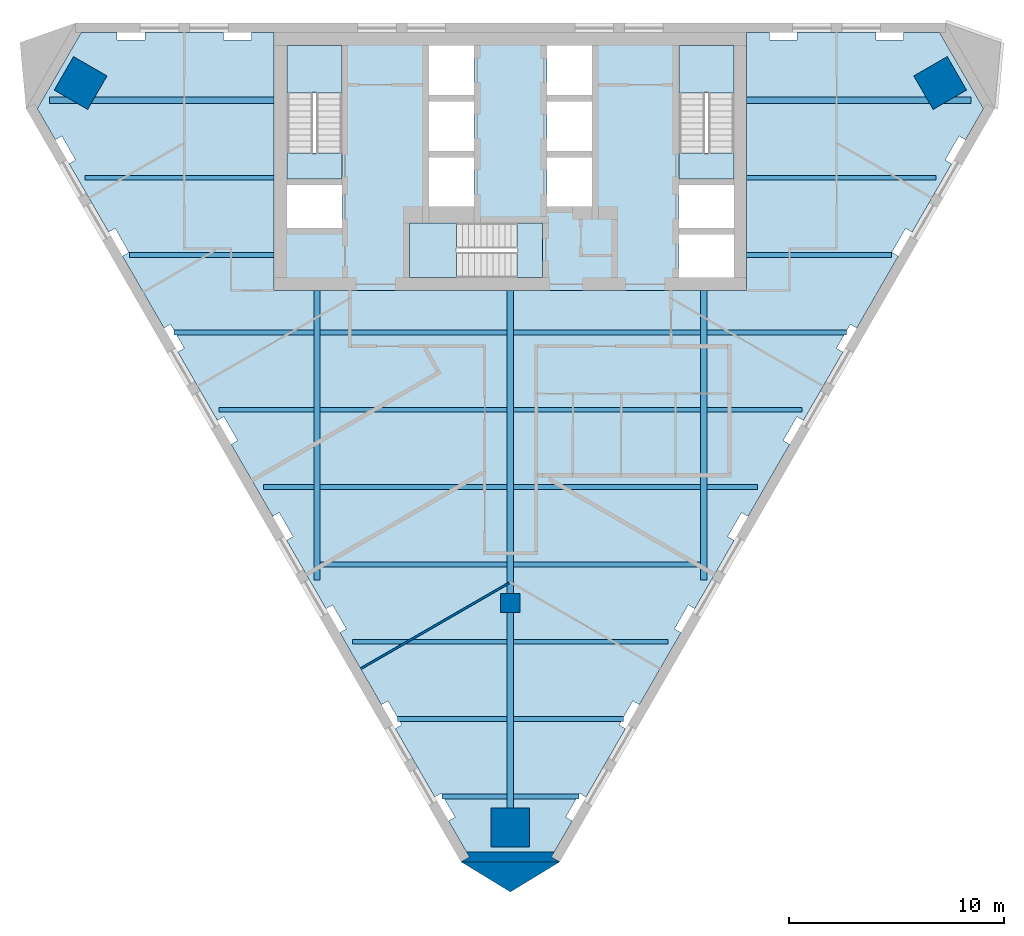
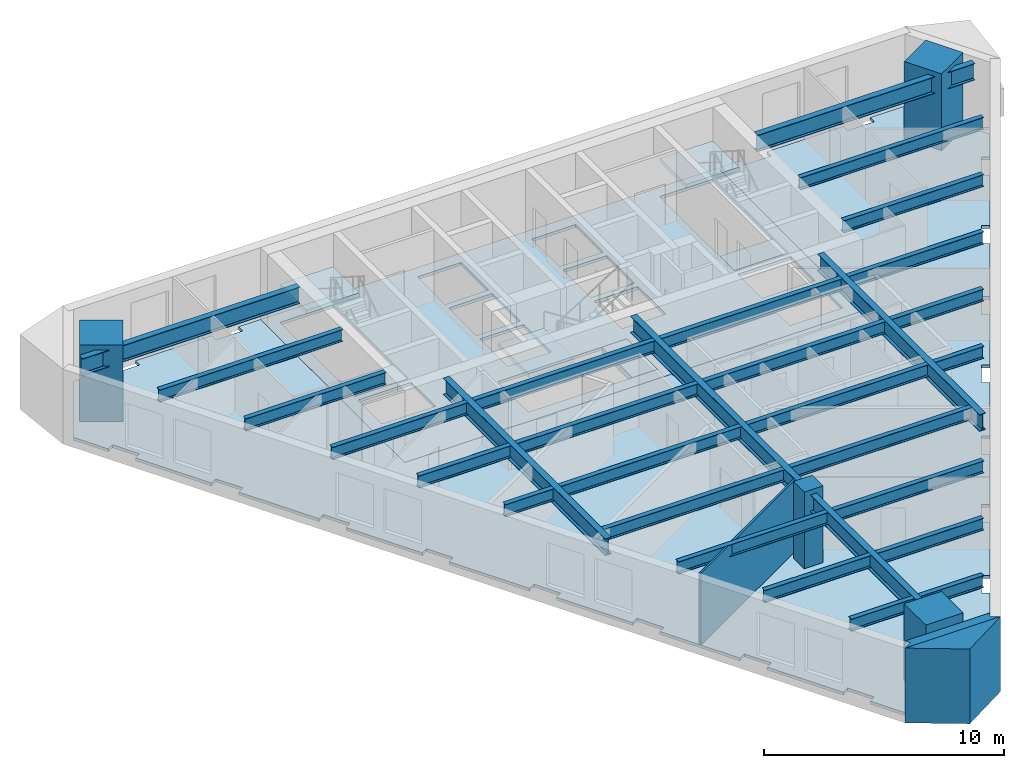
# One storey, part 1 of 7: 30 beams, 8 slabs, 4 columns, 3 walls, 3 elements without a shape of their own.
"""IFC4 building model written with IfcOpenShell, lengths in metres."""

from ifc_helpers import new_model, si_unit, direction, frame, frame_2d, origin, origin_2d, place, context, subcontext, project, spatial, polyline, rectangle, i_section, outline, extrude, material, layer, layer_set, material_profile, profile_set, type_object, element, aggregate, save


model = new_model("IFC4")

# Units and contexts
model_context = context("Model", 3, precision=1e-05, world=origin(), true_north=direction((0.0, 1.0)))
body_context = subcontext(model_context, "Body", "Model", "MODEL_VIEW")
ifc_project = project(units=[si_unit("LENGTHUNIT", "METRE"), si_unit("AREAUNIT", "SQUARE_METRE"), si_unit("VOLUMEUNIT", "CUBIC_METRE"), si_unit("PLANEANGLEUNIT", "RADIAN"), si_unit("MASSUNIT", "GRAM", prefix="KILO")], contexts=[model_context])

# Site, building, storey
site_placement = place(None, origin())
site = spatial("IfcSite", under=ifc_project, at=site_placement, CompositionType="ELEMENT")
building_placement = place(site_placement, origin())
building = spatial("IfcBuilding", under=site, at=building_placement, Name="Aloe Facet Convention Tower", CompositionType="ELEMENT")
storey_placement = place(building_placement, frame((0.0, 0.0, 171.5)))
storey = spatial("IfcBuildingStorey", under=building, at=storey_placement, Name="L43", CompositionType="ELEMENT", Elevation=171.5)

# Columns
ifc_material_1 = material(Name="Concrete C70/85", Category="concrete")
ifc_material_profile_1 = material_profile(ifc_material_1, rectangle(XDim=0.89990234375, YDim=0.89990234375, at=origin_2d()), Name="SF-GC-Z3")
ifc_profile_set_1 = profile_set([ifc_material_profile_1], Name="Concrete C70/85")
column_type_1 = type_object("IfcColumnType", Name="SF-GC-Z3", PredefinedType="COLUMN", material=ifc_profile_set_1)
column_placement = place(storey_placement, frame((80.0, 108.0, 0.0), z_axis=(0.0, 0.0, 1.0), x_axis=(1.0, 0.0, 0.0)))
element("IfcColumn", 1, at=column_placement, inside=storey, type_object=column_type_1, Name="Gravity column GC-Z3-9D", PredefinedType="COLUMN", context=body_context, shape_type="SweptSolid", body=[
    extrude(rectangle(XDim=0.89990234375, YDim=0.89990234375, at=origin_2d()), origin(), (0.0, 0.0, 1.0), 3.89990234375),
])
ifc_material_2 = material(Name="Concrete C80/95", Category="concrete")
ifc_material_profile_2 = material_profile(ifc_material_2, rectangle(XDim=1.800048828125, YDim=1.800048828125, at=origin_2d()), Name="STW-MC-Z3")
ifc_profile_set_2 = profile_set([ifc_material_profile_2], Name="Concrete C80/95")
column_type_2 = type_object("IfcColumnType", Name="STW-MC-Z3", PredefinedType="COLUMN", material=ifc_profile_set_2)
for number, where, z_axis, x_axis, name in (
    (2, (100.00732421875, 132.208251953125, 0.0), (0.0, 0.0, 1.0), (-0.5, 0.866025403784, 0.0), "Mega-column MC-NE-L43"),
    (3, (59.99267578125, 132.208251953125, 0.0), (0.0, 0.0, 1.0), (-0.5, -0.866025403784, 0.0), "Mega-column MC-NW-L43"),
    (4, (80.0, 97.55419921875, 0.0), (0.0, 0.0, 1.0), (1.0, 0.0, 0.0), "Mega-column MC-S-L43"),
):
    element("IfcColumn", number, at=place(storey_placement, frame(where, z_axis=z_axis, x_axis=x_axis)), inside=storey, type_object=column_type_2, Name=name, PredefinedType="COLUMN", context=body_context, shape_type="SweptSolid", body=[
        extrude(rectangle(XDim=1.800048828125, YDim=1.800048828125, at=origin_2d()), origin(), (0.0, 0.0, 1.0), 3.89990234375),
    ])

# Beams
ifc_material_3 = material(Name="Steel S355", Category="steel")
ifc_material_profile_3 = material_profile(ifc_material_3, i_section(OverallWidth=0.22900390625, OverallDepth=0.6123046875, WebThickness=0.011962890625, FlangeThickness=0.01953125, FilletRadius=0.0126953125, at=origin_2d()), Name="UB 610x229x125")
ifc_profile_set_3 = profile_set([ifc_material_profile_3], Name="Steel S355")
beam_type_1 = type_object("IfcBeamType", Name="SF-B-UB610x229x125", PredefinedType="BEAM", material=ifc_profile_set_3)
beam_1_placement = place(storey_placement, frame((60.18994140625, 127.800048828125, 3.343994140625), z_axis=(1.0, 0.0, 0.0), x_axis=(0.0, 1.0, 0.0)))
element("IfcBeam", 5, at=beam_1_placement, inside=storey, type_object=beam_type_1, Name="Floor beam FB-Z3J-007", PredefinedType="BEAM", context=body_context, shape_type="SweptSolid", body=[
    extrude(i_section(OverallWidth=0.22900390625, OverallDepth=0.6123046875, WebThickness=0.011962890625, FlangeThickness=0.01953125, FilletRadius=0.0126953125, at=origin_2d()), origin(), (0.0, 0.0, 1.0), 8.81005859375),
])
beam_2_placement = place(storey_placement, frame((62.268310546875, 124.199951171875, 3.343994140625), z_axis=(1.0, 0.0, 0.0), x_axis=(0.0, 1.0, 0.0)))
element("IfcBeam", 6, at=beam_2_placement, inside=storey, type_object=beam_type_1, Name="Floor beam FB-Z3J-008", PredefinedType="BEAM", context=body_context, shape_type="SweptSolid", body=[
    extrude(i_section(OverallWidth=0.22900390625, OverallDepth=0.6123046875, WebThickness=0.011962890625, FlangeThickness=0.01953125, FilletRadius=0.0126953125, at=origin_2d()), origin(), (0.0, 0.0, 1.0), 6.731689453125),
])
beam_3_placement = place(storey_placement, frame((64.3466796875, 120.60009765625, 3.343994140625), z_axis=(1.0, 0.0, 0.0), x_axis=(0.0, 1.0, 0.0)))
element("IfcBeam", 7, at=beam_3_placement, inside=storey, type_object=beam_type_1, Name="Floor beam FB-Z3J-009", PredefinedType="BEAM", context=body_context, shape_type="SweptSolid", body=[
    extrude(i_section(OverallWidth=0.22900390625, OverallDepth=0.6123046875, WebThickness=0.011962890625, FlangeThickness=0.01953125, FilletRadius=0.0126953125, at=origin_2d()), origin(), (0.0, 0.0, 1.0), 6.50634765625),
])
beam_4_placement = place(storey_placement, frame((66.42529296875, 117.0, 3.343994140625), z_axis=(1.0, 0.0, 0.0), x_axis=(0.0, 1.0, 0.0)))
element("IfcBeam", 8, at=beam_4_placement, inside=storey, type_object=beam_type_1, Name="Floor beam FB-Z3J-010", PredefinedType="BEAM", context=body_context, shape_type="SweptSolid", body=[
    extrude(i_section(OverallWidth=0.22900390625, OverallDepth=0.6123046875, WebThickness=0.011962890625, FlangeThickness=0.01953125, FilletRadius=0.0126953125, at=origin_2d()), origin(), (0.0, 0.0, 1.0), 4.427734375),
])
beam_5_placement = place(storey_placement, frame((68.503662109375, 113.39990234375, 3.343994140625), z_axis=(1.0, 0.0, 0.0), x_axis=(0.0, 1.0, 0.0)))
element("IfcBeam", 9, at=beam_5_placement, inside=storey, type_object=beam_type_1, Name="Floor beam FB-Z3J-011", PredefinedType="BEAM", context=body_context, shape_type="SweptSolid", body=[
    extrude(i_section(OverallWidth=0.22900390625, OverallDepth=0.6123046875, WebThickness=0.011962890625, FlangeThickness=0.01953125, FilletRadius=0.0126953125, at=origin_2d()), origin(), (0.0, 0.0, 1.0), 2.349365234375),
])
for number, where, z_axis, x_axis, name in (
    (10, (71.14697265625, 109.800048828125, 3.343994140625), (1.0, 0.0, 0.0), (0.0, 1.0, 0.0), "Floor beam FB-Z3J-012"),
    (11, (71.14697265625, 113.39990234375, 3.343994140625), (1.0, 0.0, 0.0), (0.0, 1.0, 0.0), "Floor beam FB-Z3J-013"),
    (12, (71.14697265625, 117.0, 3.343994140625), (1.0, 0.0, 0.0), (0.0, 1.0, 0.0), "Floor beam FB-Z3J-014"),
    (13, (71.14697265625, 120.60009765625, 3.343994140625), (1.0, 0.0, 0.0), (0.0, 1.0, 0.0), "Floor beam FB-Z3J-015"),
):
    element("IfcBeam", number, at=place(storey_placement, frame(where, z_axis=z_axis, x_axis=x_axis)), inside=storey, type_object=beam_type_1, Name=name, PredefinedType="BEAM", context=body_context, shape_type="SweptSolid", body=[
        extrude(i_section(OverallWidth=0.22900390625, OverallDepth=0.6123046875, WebThickness=0.011962890625, FlangeThickness=0.01953125, FilletRadius=0.0126953125, at=origin_2d()), origin(), (0.0, 0.0, 1.0), 8.7060546875),
    ])
beam_6_placement = place(storey_placement, frame((72.66064453125, 106.199951171875, 3.343994140625), z_axis=(1.0, 0.0, 0.0), x_axis=(0.0, 1.0, 0.0)))
element("IfcBeam", 14, at=beam_6_placement, inside=storey, type_object=beam_type_1, Name="Floor beam FB-Z3J-016", PredefinedType="BEAM", context=body_context, shape_type="SweptSolid", body=[
    extrude(i_section(OverallWidth=0.22900390625, OverallDepth=0.6123046875, WebThickness=0.011962890625, FlangeThickness=0.01953125, FilletRadius=0.0126953125, at=origin_2d()), origin(), (0.0, 0.0, 1.0), 7.1923828125),
])
beam_7_placement = place(storey_placement, frame((74.739013671875, 102.60009765625, 3.343994140625), z_axis=(1.0, 0.0, 0.0), x_axis=(0.0, 1.0, 0.0)))
element("IfcBeam", 15, at=beam_7_placement, inside=storey, type_object=beam_type_1, Name="Floor beam FB-Z3J-017", PredefinedType="BEAM", context=body_context, shape_type="SweptSolid", body=[
    extrude(i_section(OverallWidth=0.22900390625, OverallDepth=0.6123046875, WebThickness=0.011962890625, FlangeThickness=0.01953125, FilletRadius=0.0126953125, at=origin_2d()), origin(), (0.0, 0.0, 1.0), 5.114013671875),
])
for number, where, z_axis, x_axis, name in (
    (16, (76.817626953125, 99.0, 3.343994140625), (1.0, 0.0, 0.0), (0.0, 1.0, 0.0), "Floor beam FB-Z3J-018"),
    (17, (80.14697265625, 99.0, 3.343994140625), (1.0, 0.0, 0.0), (0.0, 1.0, 0.0), "Floor beam FB-Z3J-019"),
):
    element("IfcBeam", number, at=place(storey_placement, frame(where, z_axis=z_axis, x_axis=x_axis)), inside=storey, type_object=beam_type_1, Name=name, PredefinedType="BEAM", context=body_context, shape_type="SweptSolid", body=[
        extrude(i_section(OverallWidth=0.22900390625, OverallDepth=0.6123046875, WebThickness=0.011962890625, FlangeThickness=0.01953125, FilletRadius=0.0126953125, at=origin_2d()), origin(), (0.0, 0.0, 1.0), 3.035400390625),
    ])
beam_8_placement = place(storey_placement, frame((80.14697265625, 102.60009765625, 3.343994140625), z_axis=(1.0, 0.0, 0.0), x_axis=(0.0, 1.0, 0.0)))
element("IfcBeam", 18, at=beam_8_placement, inside=storey, type_object=beam_type_1, Name="Floor beam FB-Z3J-020", PredefinedType="BEAM", context=body_context, shape_type="SweptSolid", body=[
    extrude(i_section(OverallWidth=0.22900390625, OverallDepth=0.6123046875, WebThickness=0.011962890625, FlangeThickness=0.01953125, FilletRadius=0.0126953125, at=origin_2d()), origin(), (0.0, 0.0, 1.0), 5.114013671875),
])
beam_9_placement = place(storey_placement, frame((80.14697265625, 106.199951171875, 3.343994140625), z_axis=(1.0, 0.0, 0.0), x_axis=(0.0, 1.0, 0.0)))
element("IfcBeam", 19, at=beam_9_placement, inside=storey, type_object=beam_type_1, Name="Floor beam FB-Z3J-021", PredefinedType="BEAM", context=body_context, shape_type="SweptSolid", body=[
    extrude(i_section(OverallWidth=0.22900390625, OverallDepth=0.6123046875, WebThickness=0.011962890625, FlangeThickness=0.01953125, FilletRadius=0.0126953125, at=origin_2d()), origin(), (0.0, 0.0, 1.0), 7.1923828125),
])
for number, where, z_axis, x_axis, name in (
    (20, (80.14697265625, 109.800048828125, 3.343994140625), (1.0, 0.0, 0.0), (0.0, 1.0, 0.0), "Floor beam FB-Z3J-022"),
    (21, (80.14697265625, 113.39990234375, 3.343994140625), (1.0, 0.0, 0.0), (0.0, 1.0, 0.0), "Floor beam FB-Z3J-023"),
    (22, (80.14697265625, 117.0, 3.343994140625), (1.0, 0.0, 0.0), (0.0, 1.0, 0.0), "Floor beam FB-Z3J-024"),
    (23, (80.14697265625, 120.60009765625, 3.343994140625), (1.0, 0.0, 0.0), (0.0, 1.0, 0.0), "Floor beam FB-Z3J-025"),
):
    element("IfcBeam", number, at=place(storey_placement, frame(where, z_axis=z_axis, x_axis=x_axis)), inside=storey, type_object=beam_type_1, Name=name, PredefinedType="BEAM", context=body_context, shape_type="SweptSolid", body=[
        extrude(i_section(OverallWidth=0.22900390625, OverallDepth=0.6123046875, WebThickness=0.011962890625, FlangeThickness=0.01953125, FilletRadius=0.0126953125, at=origin_2d()), origin(), (0.0, 0.0, 1.0), 8.7060546875),
    ])
beam_10_placement = place(storey_placement, frame((89.14697265625, 113.39990234375, 3.343994140625), z_axis=(1.0, 0.0, 0.0), x_axis=(0.0, 1.0, 0.0)))
element("IfcBeam", 24, at=beam_10_placement, inside=storey, type_object=beam_type_1, Name="Floor beam FB-Z3J-026", PredefinedType="BEAM", context=body_context, shape_type="SweptSolid", body=[
    extrude(i_section(OverallWidth=0.22900390625, OverallDepth=0.6123046875, WebThickness=0.011962890625, FlangeThickness=0.01953125, FilletRadius=0.0126953125, at=origin_2d()), origin(), (0.0, 0.0, 1.0), 2.349365234375),
])
beam_11_placement = place(storey_placement, frame((89.14697265625, 117.0, 3.343994140625), z_axis=(1.0, 0.0, 0.0), x_axis=(0.0, 1.0, 0.0)))
element("IfcBeam", 25, at=beam_11_placement, inside=storey, type_object=beam_type_1, Name="Floor beam FB-Z3J-027", PredefinedType="BEAM", context=body_context, shape_type="SweptSolid", body=[
    extrude(i_section(OverallWidth=0.22900390625, OverallDepth=0.6123046875, WebThickness=0.011962890625, FlangeThickness=0.01953125, FilletRadius=0.0126953125, at=origin_2d()), origin(), (0.0, 0.0, 1.0), 4.427734375),
])
beam_12_placement = place(storey_placement, frame((89.14697265625, 120.60009765625, 3.343994140625), z_axis=(1.0, 0.0, 0.0), x_axis=(0.0, 1.0, 0.0)))
element("IfcBeam", 26, at=beam_12_placement, inside=storey, type_object=beam_type_1, Name="Floor beam FB-Z3J-028", PredefinedType="BEAM", context=body_context, shape_type="SweptSolid", body=[
    extrude(i_section(OverallWidth=0.22900390625, OverallDepth=0.6123046875, WebThickness=0.011962890625, FlangeThickness=0.01953125, FilletRadius=0.0126953125, at=origin_2d()), origin(), (0.0, 0.0, 1.0), 6.50634765625),
])
beam_13_placement = place(storey_placement, frame((91.0, 124.199951171875, 3.343994140625), z_axis=(1.0, 0.0, 0.0), x_axis=(0.0, 1.0, 0.0)))
element("IfcBeam", 27, at=beam_13_placement, inside=storey, type_object=beam_type_1, Name="Floor beam FB-Z3J-029", PredefinedType="BEAM", context=body_context, shape_type="SweptSolid", body=[
    extrude(i_section(OverallWidth=0.22900390625, OverallDepth=0.6123046875, WebThickness=0.011962890625, FlangeThickness=0.01953125, FilletRadius=0.0126953125, at=origin_2d()), origin(), (0.0, 0.0, 1.0), 6.731689453125),
])
beam_14_placement = place(storey_placement, frame((91.0, 127.800048828125, 3.343994140625), z_axis=(1.0, 0.0, 0.0), x_axis=(0.0, 1.0, 0.0)))
element("IfcBeam", 28, at=beam_14_placement, inside=storey, type_object=beam_type_1, Name="Floor beam FB-Z3J-030", PredefinedType="BEAM", context=body_context, shape_type="SweptSolid", body=[
    extrude(i_section(OverallWidth=0.22900390625, OverallDepth=0.6123046875, WebThickness=0.011962890625, FlangeThickness=0.01953125, FilletRadius=0.0126953125, at=origin_2d()), origin(), (0.0, 0.0, 1.0), 8.81005859375),
])
ifc_material_4 = material(Name="Steel S355", Category="steel")
ifc_material_profile_4 = material_profile(ifc_material_4, i_section(OverallWidth=0.293701171875, OverallDepth=0.850830078125, WebThickness=0.01611328125, FlangeThickness=0.02685546875, FilletRadius=0.017822265625, at=origin_2d()), Name="UB 838x292x226")
ifc_profile_set_4 = profile_set([ifc_material_profile_4], Name="Steel S355")
beam_type_2 = type_object("IfcBeamType", Name="SF-B-UB838x292x226", PredefinedType="BEAM", material=ifc_profile_set_4)
beam_15_placement = place(storey_placement, frame((58.554443359375, 131.39990234375, 3.224609375), z_axis=(1.0, 0.0, 0.0), x_axis=(0.0, 1.0, 0.0)))
element("IfcBeam", 29, at=beam_15_placement, inside=storey, type_object=beam_type_2, Name="Floor beam FB-Z3J-001", PredefinedType="BEAM", context=body_context, shape_type="SweptSolid", body=[
    extrude(i_section(OverallWidth=0.293701171875, OverallDepth=0.850830078125, WebThickness=0.01611328125, FlangeThickness=0.02685546875, FilletRadius=0.017822265625, at=origin_2d()), origin(), (0.0, 0.0, 1.0), 10.445556640625),
])
beam_16_placement = place(storey_placement, frame((71.0, 122.550048828125, 3.224609375), z_axis=(0.0, -1.0, 0.0), x_axis=(1.0, 0.0, 0.0)))
element("IfcBeam", 30, at=beam_16_placement, inside=storey, type_object=beam_type_2, Name="Floor beam FB-Z3J-002", PredefinedType="BEAM", context=body_context, shape_type="SweptSolid", body=[
    extrude(i_section(OverallWidth=0.293701171875, OverallDepth=0.850830078125, WebThickness=0.01611328125, FlangeThickness=0.02685546875, FilletRadius=0.017822265625, at=origin_2d()), origin(), (0.0, 0.0, 1.0), 13.48095703125),
])
beam_17_placement = place(storey_placement, frame((80.0, 107.550048828125, 3.224609375), z_axis=(0.0, -1.0, 0.0), x_axis=(1.0, 0.0, 0.0)))
element("IfcBeam", 31, at=beam_17_placement, inside=storey, type_object=beam_type_2, Name="Floor beam FB-Z3J-003", PredefinedType="BEAM", context=body_context, shape_type="SweptSolid", body=[
    extrude(i_section(OverallWidth=0.293701171875, OverallDepth=0.850830078125, WebThickness=0.01611328125, FlangeThickness=0.02685546875, FilletRadius=0.017822265625, at=origin_2d()), origin(), (0.0, 0.0, 1.0), 10.8359375),
])
beam_18_placement = place(storey_placement, frame((80.0, 122.550048828125, 3.224609375), z_axis=(0.0, -1.0, 0.0), x_axis=(1.0, 0.0, 0.0)))
element("IfcBeam", 32, at=beam_18_placement, inside=storey, type_object=beam_type_2, Name="Floor beam FB-Z3J-004", PredefinedType="BEAM", context=body_context, shape_type="SweptSolid", body=[
    extrude(i_section(OverallWidth=0.293701171875, OverallDepth=0.850830078125, WebThickness=0.01611328125, FlangeThickness=0.02685546875, FilletRadius=0.017822265625, at=origin_2d()), origin(), (0.0, 0.0, 1.0), 14.10009765625),
])
beam_19_placement = place(storey_placement, frame((89.0, 122.550048828125, 3.224609375), z_axis=(0.0, -1.0, 0.0), x_axis=(1.0, 0.0, 0.0)))
element("IfcBeam", 33, at=beam_19_placement, inside=storey, type_object=beam_type_2, Name="Floor beam FB-Z3J-005", PredefinedType="BEAM", context=body_context, shape_type="SweptSolid", body=[
    extrude(i_section(OverallWidth=0.293701171875, OverallDepth=0.850830078125, WebThickness=0.01611328125, FlangeThickness=0.02685546875, FilletRadius=0.017822265625, at=origin_2d()), origin(), (0.0, 0.0, 1.0), 13.48095703125),
])
beam_20_placement = place(storey_placement, frame((91.0, 131.39990234375, 3.224609375), z_axis=(1.0, 0.0, 0.0), x_axis=(0.0, 1.0, 0.0)))
element("IfcBeam", 34, at=beam_20_placement, inside=storey, type_object=beam_type_2, Name="Floor beam FB-Z3J-006", PredefinedType="BEAM", context=body_context, shape_type="SweptSolid", body=[
    extrude(i_section(OverallWidth=0.293701171875, OverallDepth=0.850830078125, WebThickness=0.01611328125, FlangeThickness=0.02685546875, FilletRadius=0.017822265625, at=origin_2d()), origin(), (0.0, 0.0, 1.0), 10.445556640625),
])

# Slabs
ifc_material_5 = material(Name="Concrete C60/75", Category="concrete")
ifc_layer_1 = layer(ifc_material_5, 0.14990234375)
ifc_layer_set_1 = layer_set([ifc_layer_1], Name="CR-S-FLOOR150-C6075")
slab_type_1 = type_object("IfcSlabType", Name="CR-S-FLOOR150-C6075", PredefinedType="FLOOR", material=ifc_layer_set_1)
slab_1_placement = place(storey_placement, frame((0.0, 0.0, -0.14990234375)))
element("IfcSlab", 35, at=slab_1_placement, inside=storey, type_object=slab_type_1, Name="Core floor L43", PredefinedType="FLOOR", context=body_context, shape_type="SweptSolid", body=[
    extrude(outline(polyline([(71.85009765625, 134.550048828125), (72.75, 134.550048828125), (75.60009765625, 134.550048828125), (76.5, 134.550048828125), (78.0, 134.550048828125), (78.89990234375, 134.550048828125), (81.10009765625, 134.550048828125), (82.0, 134.550048828125), (83.5, 134.550048828125), (84.39990234375, 134.550048828125), (87.25, 134.550048828125), (88.14990234375, 134.550048828125), (91.0, 134.550048828125), (91.0, 128.050048828125), (91.0, 127.14990234375), (91.0, 125.75), (91.0, 124.85009765625), (91.0, 122.550048828125), (88.14990234375, 122.550048828125), (87.25, 122.550048828125), (85.300048828125, 122.550048828125), (84.39990234375, 122.550048828125), (82.10009765625, 122.550048828125), (81.199951171875, 122.550048828125), (75.60009765625, 122.550048828125), (74.699951171875, 122.550048828125), (72.75, 122.550048828125), (71.85009765625, 122.550048828125), (69.0, 122.550048828125), (69.0, 124.85009765625), (69.0, 125.75), (69.0, 127.14990234375), (69.0, 128.050048828125), (69.0, 134.550048828125), (71.85009765625, 134.550048828125)]), holes=[polyline([(80.298828125, 123.14990234375), (81.5, 123.14990234375), (81.5, 125.699951171875), (80.298828125, 125.699951171875), (75.300048828125, 125.699951171875), (75.300048828125, 123.14990234375), (80.298828125, 123.14990234375)]), polyline([(69.60009765625, 125.449951171875), (72.14990234375, 125.449951171875), (72.14990234375, 127.449951171875), (69.60009765625, 127.449951171875), (69.60009765625, 125.449951171875)]), polyline([(76.199951171875, 126.449951171875), (78.300048828125, 126.449951171875), (78.300048828125, 128.75), (76.199951171875, 128.75), (76.199951171875, 126.449951171875)]), polyline([(78.300048828125, 129.050048828125), (78.300048828125, 131.35009765625), (76.199951171875, 131.35009765625), (76.199951171875, 129.050048828125), (78.300048828125, 129.050048828125)]), polyline([(69.60009765625, 133.949951171875), (69.60009765625, 128.951171875), (69.60009765625, 127.75), (72.14990234375, 127.75), (72.14990234375, 128.951171875), (72.14990234375, 133.949951171875), (69.60009765625, 133.949951171875)]), polyline([(76.199951171875, 131.64990234375), (78.300048828125, 131.64990234375), (78.300048828125, 133.949951171875), (76.199951171875, 133.949951171875), (76.199951171875, 131.64990234375)]), polyline([(90.39990234375, 123.14990234375), (90.39990234375, 125.14990234375), (87.85009765625, 125.14990234375), (87.85009765625, 123.14990234375), (90.39990234375, 123.14990234375)]), polyline([(87.85009765625, 125.449951171875), (90.39990234375, 125.449951171875), (90.39990234375, 127.449951171875), (87.85009765625, 127.449951171875), (87.85009765625, 125.449951171875)]), polyline([(81.699951171875, 126.449951171875), (83.800048828125, 126.449951171875), (83.800048828125, 128.75), (81.699951171875, 128.75), (81.699951171875, 126.449951171875)]), polyline([(83.800048828125, 129.050048828125), (83.800048828125, 131.35009765625), (81.699951171875, 131.35009765625), (81.699951171875, 129.050048828125), (83.800048828125, 129.050048828125)]), polyline([(87.85009765625, 133.949951171875), (87.85009765625, 128.951171875), (87.85009765625, 127.75), (90.39990234375, 127.75), (90.39990234375, 128.951171875), (90.39990234375, 133.949951171875), (87.85009765625, 133.949951171875)]), polyline([(81.699951171875, 131.64990234375), (83.800048828125, 131.64990234375), (83.800048828125, 133.949951171875), (81.699951171875, 133.949951171875), (81.699951171875, 131.64990234375)])]), origin(), (0.0, 0.0, 1.0), 0.14990234375),
])
ifc_material_6 = material(Name="Concrete C60/75", Category="concrete")
ifc_layer_2 = layer(ifc_material_6, 0.300048828125)
ifc_layer_set_2 = layer_set([ifc_layer_2], Name="CR-S-FLOOR300-C6075")
slab_type_2 = type_object("IfcSlabType", Name="CR-S-FLOOR300-C6075", PredefinedType="FLOOR", material=ifc_layer_set_2)
slab_2_placement = place(storey_placement, frame((0.0, 0.0, -0.300048828125)))
element("IfcSlab", 36, at=slab_2_placement, inside=storey, type_object=slab_type_2, Name="Stair landing floor L43", PredefinedType="FLOOR", context=body_context, shape_type="SweptSolid", body=[
    extrude(outline(polyline([(72.14990234375, 127.75), (72.14990234375, 128.951171875), (69.60009765625, 128.951171875), (69.60009765625, 127.75), (72.14990234375, 127.75)])), origin(), (0.0, 0.0, 1.0), 0.300048828125),
])
slab_3_placement = place(storey_placement, frame((0.0, 0.0, -0.300048828125)))
element("IfcSlab", 37, at=slab_3_placement, inside=storey, type_object=slab_type_2, Name="Stair landing floor L43", PredefinedType="FLOOR", context=body_context, shape_type="SweptSolid", body=[
    extrude(outline(polyline([(90.39990234375, 127.75), (90.39990234375, 128.951171875), (87.85009765625, 128.951171875), (87.85009765625, 127.75), (90.39990234375, 127.75)])), origin(), (0.0, 0.0, 1.0), 0.300048828125),
])
slab_4_placement = place(storey_placement, frame((0.0, 0.0, -0.300048828125)))
element("IfcSlab", 38, at=slab_4_placement, inside=storey, type_object=slab_type_2, Name="Stair landing floor L43", PredefinedType="FLOOR", context=body_context, shape_type="SweptSolid", body=[
    extrude(outline(polyline([(81.5, 125.699951171875), (80.298828125, 125.699951171875), (80.298828125, 123.14990234375), (81.5, 123.14990234375), (81.5, 125.699951171875)])), origin(), (0.0, 0.0, 1.0), 0.300048828125),
])

# Stair, slab
ifc_material_7 = material(Name="Concrete C50/60", Category="concrete")
stair_type = type_object("IfcStairType", Name="CR-ST-22R", PredefinedType="HALF_TURN_STAIR", material=ifc_material_7)
stair_1_placement = place(storey_placement, origin())
stair_1 = element("IfcStair", 39, at=stair_1_placement, inside=storey, type_object=stair_type, Name="L43 Protected exit stair ST1", PredefinedType="HALF_TURN_STAIR")
ifc_material_8 = material(Name="Concrete C50/60", Category="concrete")
ifc_layer_3 = layer(ifc_material_8, 0.199951171875)
ifc_layer_set_3 = layer_set([ifc_layer_3], Name="CR-SL-LANDING")
slab_type_3 = type_object("IfcSlabType", Name="CR-SL-LANDING", PredefinedType="LANDING", material=ifc_layer_set_3)
slab_5_placement = place(storey_placement, frame((0.0, 0.0, 1.75)))
slab_5 = element("IfcSlab", 40, at=slab_5_placement, type_object=slab_type_3, Name="ST1 landing 1", PredefinedType="LANDING", context=body_context, shape_type="SweptSolid", body=[
    extrude(outline(polyline([(72.14990234375, 131.75), (72.14990234375, 133.949951171875), (69.60009765625, 133.949951171875), (69.60009765625, 131.75), (72.14990234375, 131.75)])), origin(), (0.0, 0.0, 1.0), 0.199951171875),
])
aggregate(stair_1, [slab_5])

stair_2_placement = place(storey_placement, origin())
stair_2 = element("IfcStair", 41, at=stair_2_placement, inside=storey, type_object=stair_type, Name="L43 Protected exit stair ST2", PredefinedType="HALF_TURN_STAIR")
slab_6_placement = place(storey_placement, frame((0.0, 0.0, 1.75)))
slab_6 = element("IfcSlab", 42, at=slab_6_placement, type_object=slab_type_3, Name="ST2 landing 1", PredefinedType="LANDING", context=body_context, shape_type="SweptSolid", body=[
    extrude(outline(polyline([(90.39990234375, 131.75), (90.39990234375, 133.949951171875), (87.85009765625, 133.949951171875), (87.85009765625, 131.75), (90.39990234375, 131.75)])), origin(), (0.0, 0.0, 1.0), 0.199951171875),
])
aggregate(stair_2, [slab_6])

stair_3_placement = place(storey_placement, origin())
stair_3 = element("IfcStair", 43, at=stair_3_placement, inside=storey, type_object=stair_type, Name="L43 Protected exit stair ST3", PredefinedType="HALF_TURN_STAIR")
slab_7_placement = place(storey_placement, frame((0.0, 0.0, 1.75)))
slab_7 = element("IfcSlab", 44, at=slab_7_placement, type_object=slab_type_3, Name="ST3 landing 1", PredefinedType="LANDING", context=body_context, shape_type="SweptSolid", body=[
    extrude(outline(polyline([(77.5, 125.699951171875), (75.300048828125, 125.699951171875), (75.300048828125, 123.14990234375), (77.5, 123.14990234375), (77.5, 125.699951171875)])), origin(), (0.0, 0.0, 1.0), 0.199951171875),
])
aggregate(stair_3, [slab_7])

# Slab
ifc_material_9 = material(Name="Concrete C35/45", Category="concrete")
ifc_layer_4 = layer(ifc_material_9, 0.14990234375)
ifc_layer_set_4 = layer_set([ifc_layer_4], Name="SF-FS-150")
slab_type_4 = type_object("IfcSlabType", Name="SF-FS-150", PredefinedType="FLOOR", material=ifc_layer_set_4)
slab_8_placement = place(storey_placement, frame((0.0, 0.0, -0.14990234375)))
element("IfcSlab", 45, at=slab_8_placement, inside=storey, type_object=slab_type_4, Name="Floor slab L43-1", PredefinedType="FLOOR", context=body_context, shape_type="SweptSolid", body=[
    extrude(outline(polyline([(102.0234375, 131.016357421875), (101.186279296875, 129.566162109375), (100.883056640625, 129.7412109375), (100.23828125, 128.62451171875), (100.54150390625, 128.449462890625), (98.70458984375, 125.267578125), (98.4013671875, 125.442626953125), (97.756591796875, 124.325927734375), (98.059814453125, 124.15087890625), (96.12548828125, 120.800537109375), (95.822265625, 120.9755859375), (95.177490234375, 119.85888671875), (95.480712890625, 119.683837890625), (93.643798828125, 116.502197265625), (93.340576171875, 116.677001953125), (92.69580078125, 115.560546875), (92.9990234375, 115.385498046875), (91.064697265625, 112.03515625), (90.761474609375, 112.210205078125), (90.116943359375, 111.093505859375), (90.419921875, 110.91845703125), (88.5830078125, 107.736572265625), (88.27978515625, 107.91162109375), (87.635009765625, 106.794921875), (87.938232421875, 106.6201171875), (86.00390625, 103.26953125), (85.70068359375, 103.444580078125), (85.05615234375, 102.327880859375), (85.359130859375, 102.15283203125), (83.522216796875, 98.97119140625), (83.218994140625, 99.14599609375), (82.574462890625, 98.029541015625), (82.87744140625, 97.8544921875), (82.040283203125, 96.404296875), (77.959716796875, 96.404296875), (77.12255859375, 97.8544921875), (77.425537109375, 98.029541015625), (76.781005859375, 99.14599609375), (76.477783203125, 98.97119140625), (74.640869140625, 102.15283203125), (74.94384765625, 102.327880859375), (74.29931640625, 103.444580078125), (73.99609375, 103.26953125), (72.061767578125, 106.6201171875), (72.364990234375, 106.794921875), (71.72021484375, 107.91162109375), (71.4169921875, 107.736572265625), (69.580078125, 110.91845703125), (69.883056640625, 111.093505859375), (69.238525390625, 112.210205078125), (68.935302734375, 112.03515625), (67.0009765625, 115.385498046875), (67.30419921875, 115.560546875), (66.659423828125, 116.677001953125), (66.356201171875, 116.502197265625), (64.519287109375, 119.683837890625), (64.822509765625, 119.85888671875), (64.177734375, 120.9755859375), (63.87451171875, 120.800537109375), (61.940185546875, 124.15087890625), (62.243408203125, 124.325927734375), (61.5986328125, 125.442626953125), (61.29541015625, 125.267578125), (59.45849609375, 128.449462890625), (59.76171875, 128.62451171875), (59.116943359375, 129.7412109375), (58.813720703125, 129.566162109375), (57.9765625, 131.016357421875), (60.0166015625, 134.550048828125), (61.69140625, 134.550048828125), (61.69140625, 134.199951171875), (62.980712890625, 134.199951171875), (62.980712890625, 134.550048828125), (66.65478515625, 134.550048828125), (66.65478515625, 134.199951171875), (67.944091796875, 134.199951171875), (67.944091796875, 134.550048828125), (69.0, 134.550048828125), (69.0, 128.050048828125), (69.0, 127.14990234375), (69.0, 125.75), (69.0, 124.85009765625), (69.0, 122.550048828125), (71.85009765625, 122.550048828125), (72.75, 122.550048828125), (74.699951171875, 122.550048828125), (75.60009765625, 122.550048828125), (81.199951171875, 122.550048828125), (82.10009765625, 122.550048828125), (84.39990234375, 122.550048828125), (85.300048828125, 122.550048828125), (87.25, 122.550048828125), (88.14990234375, 122.550048828125), (91.0, 122.550048828125), (91.0, 124.85009765625), (91.0, 125.75), (91.0, 127.14990234375), (91.0, 128.050048828125), (91.0, 134.550048828125), (92.055908203125, 134.550048828125), (92.055908203125, 134.199951171875), (93.34521484375, 134.199951171875), (93.34521484375, 134.550048828125), (97.019287109375, 134.550048828125), (97.019287109375, 134.199951171875), (98.30859375, 134.199951171875), (98.30859375, 134.550048828125), (99.9833984375, 134.550048828125), (102.0234375, 131.016357421875)]), holes=[polyline([(80.89990234375, 96.654296875), (80.89990234375, 98.4541015625), (79.10009765625, 98.4541015625), (79.10009765625, 96.654296875), (80.89990234375, 96.654296875)]), polyline([(59.6630859375, 133.4375), (58.76318359375, 131.878662109375), (60.322021484375, 130.978759765625), (61.221923828125, 132.53759765625), (59.6630859375, 133.4375)]), polyline([(80.449951171875, 107.550048828125), (80.449951171875, 108.449951171875), (79.550048828125, 108.449951171875), (79.550048828125, 107.550048828125), (80.449951171875, 107.550048828125)]), polyline([(101.23681640625, 131.878662109375), (100.3369140625, 133.4375), (98.778076171875, 132.53759765625), (99.677978515625, 130.978759765625), (101.23681640625, 131.878662109375)])]), origin(), (0.0, 0.0, 1.0), 0.14990234375),
])

# Walls
ifc_material_10 = material(Name="Precast concrete C40/50", Category="concrete")
ifc_layer_5 = layer(ifc_material_10, 0.449951171875)
ifc_layer_set_5 = layer_set([ifc_layer_5], Name="EV-WALL-PIER")
wall_type_1 = type_object("IfcWallType", Name="EV-WALL-PIER", PredefinedType="SOLIDWALL", material=ifc_layer_set_5)
wall_1_placement = place(storey_placement, frame((0.0, 0.0, -0.14990234375)))
element("IfcWall", 46, at=wall_1_placement, inside=storey, type_object=wall_type_1, Name="EP-L43-B", PredefinedType="SOLIDWALL", context=body_context, shape_type="SweptSolid", body=[
    extrude(outline(polyline([(77.699951171875, 95.954345703125), (78.089599609375, 96.17919921875), (77.959716796875, 96.404296875), (82.040283203125, 96.404296875), (81.910400390625, 96.17919921875), (82.300048828125, 95.954345703125), (77.699951171875, 95.954345703125)])), origin(), (0.0, 0.0, 1.0), 3.7998046875),
])
ifc_material_11 = material(Name="Precast concrete C40/50", Category="concrete")
ifc_layer_6 = layer(ifc_material_11, 3.947998046875)
ifc_layer_set_6 = layer_set([ifc_layer_6], Name="EV-WALL-SPINE")
wall_type_2 = type_object("IfcWallType", Name="EV-WALL-SPINE", PredefinedType="SOLIDWALL", material=ifc_layer_set_6)
wall_2_placement = place(storey_placement, frame((0.0, 0.0, -0.14990234375)))
element("IfcWall", 47, at=wall_2_placement, inside=storey, type_object=wall_type_2, Name="SP-S-L43", PredefinedType="SOLIDWALL", context=body_context, shape_type="SweptSolid", body=[
    extrude(outline(polyline([(77.699951171875, 95.954345703125), (80.0, 94.5498046875), (82.300048828125, 95.954345703125), (77.699951171875, 95.954345703125)])), origin(), (0.0, 0.0, 1.0), 3.7998046875),
])
ifc_material_12 = material(Name="Gypsum board partition on steel studs", Category="steel")
ifc_layer_7 = layer(ifc_material_12, 0.10009765625)
ifc_layer_set_7 = layer_set([ifc_layer_7], Name="IN-W-PART")
wall_type_3 = type_object("IfcWallType", Name="IN-W-PART", PredefinedType="PARTITIONING", material=ifc_layer_set_7)
wall_3_placement = place(storey_placement, frame((73.029052734375, 104.94482421875, 0.0), z_axis=(0.0, 0.0, 1.0), x_axis=(0.866023222546, 0.500003777996, 0.0)))
element("IfcWall", 48, at=wall_3_placement, inside=storey, type_object=wall_type_3, Name="Partition L43-W002", PredefinedType="PARTITIONING", context=body_context, shape_type="SweptSolid", body=[
    extrude(rectangle(XDim=7.962890625, YDim=0.10009765625, at=frame_2d((3.9814453125, 0.0))), origin(), (0.0, 0.0, 1.0), 3.64990234375),
])

save(model, "model.ifc")
